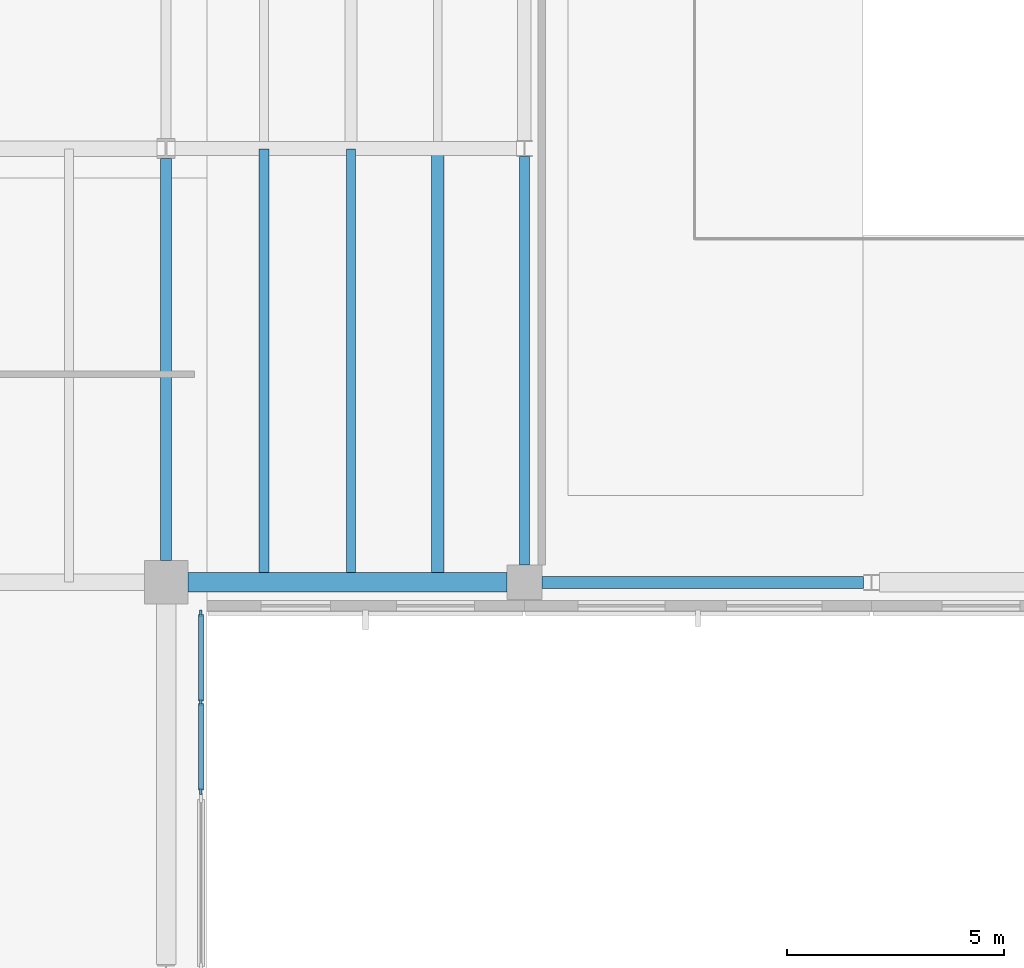
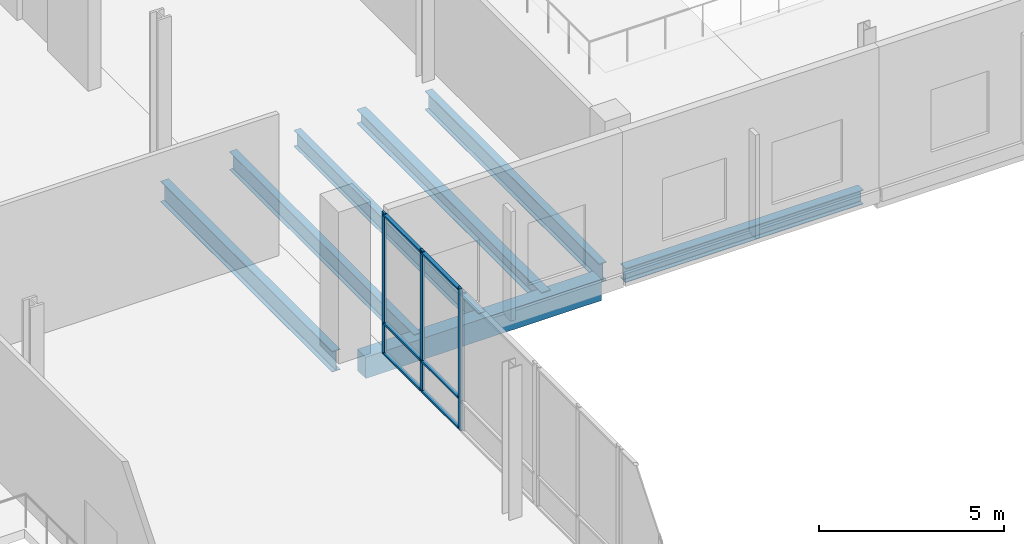
# One storey, part 29 of 81: 9 members, 7 beams, 1 element without a shape of its own.
"""IFC4 building model written with IfcOpenShell, lengths in metres."""

from ifc_helpers import new_model, si_unit, direction, frame, origin, origin_2d, place, context, subcontext, project, spatial, rectangle, i_section, extrude, material, material_profile, profile_set, type_object, element, aggregate, save


model = new_model("IFC4")

# Units and contexts
model_context = context("Model", 3, precision=1e-05, world=origin(), true_north=direction((0.0, 1.0)))
body_context = subcontext(model_context, "Body", "Model", "MODEL_VIEW")
ifc_project = project(units=[si_unit("LENGTHUNIT", "METRE"), si_unit("AREAUNIT", "SQUARE_METRE"), si_unit("VOLUMEUNIT", "CUBIC_METRE"), si_unit("PLANEANGLEUNIT", "RADIAN"), si_unit("MASSUNIT", "GRAM", prefix="KILO")], contexts=[model_context])

# Site, building, storey
site_placement = place(None, origin())
site = spatial("IfcSite", under=ifc_project, at=site_placement, CompositionType="ELEMENT")
building_placement = place(site_placement, origin())
building = spatial("IfcBuilding", under=site, at=building_placement, Name="Trimount Lyric Opera House", CompositionType="ELEMENT")
storey_placement = place(building_placement, frame((0.0, 0.0, 5.0)))
storey = spatial("IfcBuildingStorey", under=building, at=storey_placement, Name="L01", CompositionType="ELEMENT", Elevation=5.0)

# Beams
ifc_material_1 = material(Name="Steel ASTM A992 Grade 50", Category="steel")
ifc_material_profile_1 = material_profile(ifc_material_1, i_section(OverallWidth=0.25390625, OverallDepth=0.68798828125, WebThickness=0.01318359375, FlangeThickness=0.02099609375, FilletRadius=0.01611328125, at=origin_2d()), Name="W27X102")
ifc_profile_set_1 = profile_set([ifc_material_profile_1], Name="Steel ASTM A992 Grade 50")
beam_type_1 = type_object("IfcBeamType", Name="B-09", PredefinedType="BEAM", material=ifc_profile_set_1)
beam_1_placement = place(storey_placement, frame((113.739990234375, 44.5, -0.6689453125), z_axis=(0.0, 1.0, 0.0), x_axis=(-1.0, 0.0, 0.0)))
element("IfcBeam", 1, at=beam_1_placement, inside=storey, type_object=beam_type_1, Name="L01 girder Y-0663", PredefinedType="BEAM", context=body_context, shape_type="SweptSolid", body=[
    extrude(i_section(OverallWidth=0.25390625, OverallDepth=0.68798828125, WebThickness=0.01318359375, FlangeThickness=0.02099609375, FilletRadius=0.01611328125, at=origin_2d()), origin(), (0.0, 0.0, 1.0), 9.267578125),
])
ifc_material_2 = material(Name="Steel ASTM A992 Grade 50", Category="steel")
ifc_material_profile_2 = material_profile(ifc_material_2, i_section(OverallWidth=0.22998046875, OverallDepth=0.616943359375, WebThickness=0.01318359375, FlangeThickness=0.022216796875, FilletRadius=0.013916015625, at=origin_2d()), Name="W24X94")
ifc_profile_set_2 = profile_set([ifc_material_profile_2], Name="Steel ASTM A992 Grade 50")
beam_type_2 = type_object("IfcBeamType", Name="B-11", PredefinedType="BEAM", material=ifc_profile_set_2)
beam_2_placement = place(storey_placement, frame((122.0, 44.39990234375, -0.58837890625), z_axis=(0.0, 1.0, 0.0), x_axis=(-1.0, 0.0, 0.0)))
element("IfcBeam", 2, at=beam_2_placement, inside=storey, type_object=beam_type_2, Name="L01 girder Y-0670", PredefinedType="BEAM", context=body_context, shape_type="SweptSolid", body=[
    extrude(i_section(OverallWidth=0.22998046875, OverallDepth=0.616943359375, WebThickness=0.01318359375, FlangeThickness=0.022216796875, FilletRadius=0.013916015625, at=origin_2d()), origin(), (0.0, 0.0, 1.0), 9.416015625),
])
ifc_material_3 = material(Name="Steel ASTM A992 Grade 50", Category="steel")
ifc_material_profile_3 = material_profile(ifc_material_3, i_section(OverallWidth=0.22802734375, OverallDepth=0.60205078125, WebThickness=0.010498046875, FlangeThickness=0.014892578125, FilletRadius=0.012939453125, at=origin_2d()), Name="W24X68")
ifc_profile_set_3 = profile_set([ifc_material_profile_3], Name="Steel ASTM A992 Grade 50")
beam_type_3 = type_object("IfcBeamType", Name="J-01", PredefinedType="BEAM", material=ifc_profile_set_3)
beam_3_placement = place(storey_placement, frame((116.0, 44.011962890625, -0.5810546875), z_axis=(0.0, 1.0, 0.0), x_axis=(-1.0, 0.0, 0.0)))
element("IfcBeam", 3, at=beam_3_placement, inside=storey, type_object=beam_type_3, Name="L01 composite floor joist 0695", PredefinedType="BEAM", context=body_context, shape_type="SweptSolid", body=[
    extrude(i_section(OverallWidth=0.22802734375, OverallDepth=0.60205078125, WebThickness=0.010498046875, FlangeThickness=0.014892578125, FilletRadius=0.012939453125, at=origin_2d()), origin(), (0.0, 0.0, 1.0), 9.97607421875),
])
ifc_material_4 = material(Name="Steel ASTM A992 Grade 50", Category="steel")
ifc_material_profile_4 = material_profile(ifc_material_4, i_section(OverallWidth=0.2099609375, OverallDepth=0.532958984375, WebThickness=0.01025390625, FlangeThickness=0.015625, FilletRadius=0.012939453125, at=origin_2d()), Name="W21X62")
ifc_profile_set_4 = profile_set([ifc_material_profile_4], Name="Steel ASTM A992 Grade 50")
beam_type_4 = type_object("IfcBeamType", Name="J-02", PredefinedType="BEAM", material=ifc_profile_set_4)
beam_4_placement = place(storey_placement, frame((118.0, 44.011962890625, -0.54638671875), z_axis=(0.0, 1.0, 0.0), x_axis=(-1.0, 0.0, 0.0)))
element("IfcBeam", 4, at=beam_4_placement, inside=storey, type_object=beam_type_4, Name="L01 composite floor joist 0696", PredefinedType="BEAM", context=body_context, shape_type="SweptSolid", body=[
    extrude(i_section(OverallWidth=0.2099609375, OverallDepth=0.532958984375, WebThickness=0.01025390625, FlangeThickness=0.015625, FilletRadius=0.012939453125, at=origin_2d()), origin(), (0.0, 0.0, 1.0), 9.97607421875),
])
ifc_material_5 = material(Name="Steel ASTM A992 Grade 50", Category="steel")
ifc_material_profile_5 = material_profile(ifc_material_5, i_section(OverallWidth=0.281982421875, OverallDepth=0.467041015625, WebThickness=0.01220703125, FlangeThickness=0.01953125, FilletRadius=0.012939453125, at=origin_2d()), Name="W18X86")
ifc_profile_set_5 = profile_set([ifc_material_profile_5], Name="Steel ASTM A992 Grade 50")
beam_type_5 = type_object("IfcBeamType", Name="J-03", PredefinedType="BEAM", material=ifc_profile_set_5)
beam_5_placement = place(storey_placement, frame((120.0, 44.011962890625, -0.513427734375), z_axis=(0.0, 1.0, 0.0), x_axis=(-1.0, 0.0, 0.0)))
element("IfcBeam", 5, at=beam_5_placement, inside=storey, type_object=beam_type_5, Name="L01 composite floor joist 0697", PredefinedType="BEAM", context=body_context, shape_type="SweptSolid", body=[
    extrude(i_section(OverallWidth=0.281982421875, OverallDepth=0.467041015625, WebThickness=0.01220703125, FlangeThickness=0.01953125, FilletRadius=0.012939453125, at=origin_2d()), origin(), (0.0, 0.0, 1.0), 9.97607421875),
])

# Curtain wall, members
ifc_material_6 = material(Name="Thermally Broken Aluminium and Low-E Glass", Category="aluminium")
curtain_wall_type = type_object("IfcCurtainWallType", Name="CW-01", PredefinedType="NOTDEFINED", material=ifc_material_6)
curtain_wall_placement = place(storey_placement, origin())
curtain_wall = element("IfcCurtainWall", 6, at=curtain_wall_placement, inside=storey, type_object=curtain_wall_type, Name="L01 curtain wall 089", PredefinedType="NOTDEFINED")
ifc_material_7 = material(Name="Anodised Aluminium 6063-T6", Category="aluminium")
ifc_material_profile_6 = material_profile(ifc_material_7, rectangle(XDim=0.06005859375, YDim=0.14990234375, at=origin_2d()), Name="ALU-MULL-60X150")
ifc_profile_set_6 = profile_set([ifc_material_profile_6], Name="Anodised Aluminium 6063-T6")
member_type_1 = type_object("IfcMemberType", Name="ML-03", PredefinedType="MULLION", material=ifc_profile_set_6)
member_1_placement = place(storey_placement, frame((114.5400390625, 43.2900390625, 0.0), z_axis=(0.0, 0.0, 1.0), x_axis=(1.0, 0.0, 0.0)))
member_1 = element("IfcMember", 7, at=member_1_placement, type_object=member_type_1, Name="CW-01 mullion 1", PredefinedType="MULLION", context=body_context, shape_type="SweptSolid", body=[
    extrude(rectangle(XDim=0.06005859375, YDim=0.14990234375, at=origin_2d()), origin(), (0.0, 0.0, 1.0), 4.679931640625),
])
member_2_placement = place(storey_placement, frame((114.5400390625, 41.239990234375, 0.0), z_axis=(0.0, 0.0, 1.0), x_axis=(1.0, 0.0, 0.0)))
member_2 = element("IfcMember", 8, at=member_2_placement, type_object=member_type_1, Name="CW-01 mullion 2", PredefinedType="MULLION", context=body_context, shape_type="SweptSolid", body=[
    extrude(rectangle(XDim=0.06005859375, YDim=0.14990234375, at=origin_2d()), origin(), (0.0, 0.0, 1.0), 4.679931640625),
])
member_3_placement = place(storey_placement, frame((114.5400390625, 39.18994140625, 0.0), z_axis=(0.0, 0.0, 1.0), x_axis=(1.0, 0.0, 0.0)))
member_3 = element("IfcMember", 9, at=member_3_placement, type_object=member_type_1, Name="CW-01 mullion 3", PredefinedType="MULLION", context=body_context, shape_type="SweptSolid", body=[
    extrude(rectangle(XDim=0.06005859375, YDim=0.14990234375, at=origin_2d()), origin(), (0.0, 0.0, 1.0), 4.679931640625),
])

# Beams
ifc_material_8 = material(Name="Steel ASTM A992 Grade 50", Category="steel")
ifc_material_profile_7 = material_profile(ifc_material_8, i_section(OverallWidth=0.281982421875, OverallDepth=0.467041015625, WebThickness=0.01220703125, FlangeThickness=0.01953125, FilletRadius=0.012939453125, at=origin_2d()), Name="W18X86")
ifc_profile_set_7 = profile_set([ifc_material_profile_7], Name="Steel ASTM A992 Grade 50")
beam_type_6 = type_object("IfcBeamType", Name="SP-01", PredefinedType="SPANDREL", material=ifc_profile_set_7)
beam_6_placement = place(storey_placement, frame((122.39990234375, 44.0, -0.513427734375), z_axis=(1.0, 0.0, 0.0), x_axis=(0.0, 1.0, 0.0)))
element("IfcBeam", 10, at=beam_6_placement, inside=storey, type_object=beam_type_6, Name="L01 girder X-0485", PredefinedType="SPANDREL", context=body_context, shape_type="SweptSolid", body=[
    extrude(i_section(OverallWidth=0.281982421875, OverallDepth=0.467041015625, WebThickness=0.01220703125, FlangeThickness=0.01953125, FilletRadius=0.012939453125, at=origin_2d()), origin(), (0.0, 0.0, 1.0), 7.41357421875),
])
ifc_material_9 = material(Name="Concrete C40/50", Category="concrete")
ifc_material_profile_8 = material_profile(ifc_material_9, rectangle(XDim=0.449951171875, YDim=0.699951171875, at=origin_2d()), Name="RC450X700")
ifc_profile_set_8 = profile_set([ifc_material_profile_8], Name="Concrete C40/50")
beam_type_7 = type_object("IfcBeamType", Name="SP-02", PredefinedType="SPANDREL", material=ifc_profile_set_8)
beam_7_placement = place(storey_placement, frame((114.239990234375, 44.0, -0.64990234375), z_axis=(1.0, 0.0, 0.0), x_axis=(0.0, 1.0, 0.0)))
element("IfcBeam", 11, at=beam_7_placement, inside=storey, type_object=beam_type_7, Name="L01 girder X-0484", PredefinedType="SPANDREL", context=body_context, shape_type="SweptSolid", body=[
    extrude(rectangle(XDim=0.449951171875, YDim=0.699951171875, at=origin_2d()), origin(), (0.0, 0.0, 1.0), 7.360107421875),
])

# Member
ifc_material_10 = material(Name="Anodised Aluminium 6063-T6", Category="aluminium")
ifc_material_profile_9 = material_profile(ifc_material_10, rectangle(XDim=0.114990234375, YDim=0.06005859375, at=origin_2d()), Name="ALU-TRAN-60X115")
ifc_profile_set_9 = profile_set([ifc_material_profile_9], Name="Anodised Aluminium 6063-T6")
member_type_2 = type_object("IfcMemberType", Name="TR-03", PredefinedType="USERDEFINED", material=ifc_profile_set_9)
member_4_placement = place(storey_placement, frame((114.5400390625, 43.260009765625, 0.0576171875), z_axis=(0.0, -1.0, 0.0), x_axis=(1.0, 0.0, 0.0)))
member_4 = element("IfcMember", 12, at=member_4_placement, type_object=member_type_2, Name="CW-01 transom 1.1", ObjectType="TRANSOM", PredefinedType="USERDEFINED", context=body_context, shape_type="SweptSolid", body=[
    extrude(rectangle(XDim=0.114990234375, YDim=0.06005859375, at=origin_2d()), origin(), (0.0, 0.0, 1.0), 1.989990234375),
])

member_5_placement = place(storey_placement, frame((114.5400390625, 43.260009765625, 1.050048828125), z_axis=(0.0, -1.0, 0.0), x_axis=(1.0, 0.0, 0.0)))
member_5 = element("IfcMember", 13, at=member_5_placement, type_object=member_type_2, Name="CW-01 transom 1.2", ObjectType="TRANSOM", PredefinedType="USERDEFINED", context=body_context, shape_type="SweptSolid", body=[
    extrude(rectangle(XDim=0.114990234375, YDim=0.06005859375, at=origin_2d()), origin(), (0.0, 0.0, 1.0), 1.989990234375),
])

member_6_placement = place(storey_placement, frame((114.5400390625, 43.260009765625, 4.62255859375), z_axis=(0.0, -1.0, 0.0), x_axis=(1.0, 0.0, 0.0)))
member_6 = element("IfcMember", 14, at=member_6_placement, type_object=member_type_2, Name="CW-01 transom 1.3", ObjectType="TRANSOM", PredefinedType="USERDEFINED", context=body_context, shape_type="SweptSolid", body=[
    extrude(rectangle(XDim=0.114990234375, YDim=0.06005859375, at=origin_2d()), origin(), (0.0, 0.0, 1.0), 1.989990234375),
])

member_7_placement = place(storey_placement, frame((114.5400390625, 41.2099609375, 0.0576171875), z_axis=(0.0, -1.0, 0.0), x_axis=(1.0, 0.0, 0.0)))
member_7 = element("IfcMember", 15, at=member_7_placement, type_object=member_type_2, Name="CW-01 transom 2.1", ObjectType="TRANSOM", PredefinedType="USERDEFINED", context=body_context, shape_type="SweptSolid", body=[
    extrude(rectangle(XDim=0.114990234375, YDim=0.06005859375, at=origin_2d()), origin(), (0.0, 0.0, 1.0), 1.989990234375),
])

member_8_placement = place(storey_placement, frame((114.5400390625, 41.2099609375, 1.050048828125), z_axis=(0.0, -1.0, 0.0), x_axis=(1.0, 0.0, 0.0)))
member_8 = element("IfcMember", 16, at=member_8_placement, type_object=member_type_2, Name="CW-01 transom 2.2", ObjectType="TRANSOM", PredefinedType="USERDEFINED", context=body_context, shape_type="SweptSolid", body=[
    extrude(rectangle(XDim=0.114990234375, YDim=0.06005859375, at=origin_2d()), origin(), (0.0, 0.0, 1.0), 1.989990234375),
])

member_9_placement = place(storey_placement, frame((114.5400390625, 41.2099609375, 4.62255859375), z_axis=(0.0, -1.0, 0.0), x_axis=(1.0, 0.0, 0.0)))
member_9 = element("IfcMember", 17, at=member_9_placement, type_object=member_type_2, Name="CW-01 transom 2.3", ObjectType="TRANSOM", PredefinedType="USERDEFINED", context=body_context, shape_type="SweptSolid", body=[
    extrude(rectangle(XDim=0.114990234375, YDim=0.06005859375, at=origin_2d()), origin(), (0.0, 0.0, 1.0), 1.989990234375),
])

aggregate(curtain_wall, [member_1, member_2, member_3, member_4, member_5, member_6, member_7, member_8, member_9])

save(model, "model.ifc")
